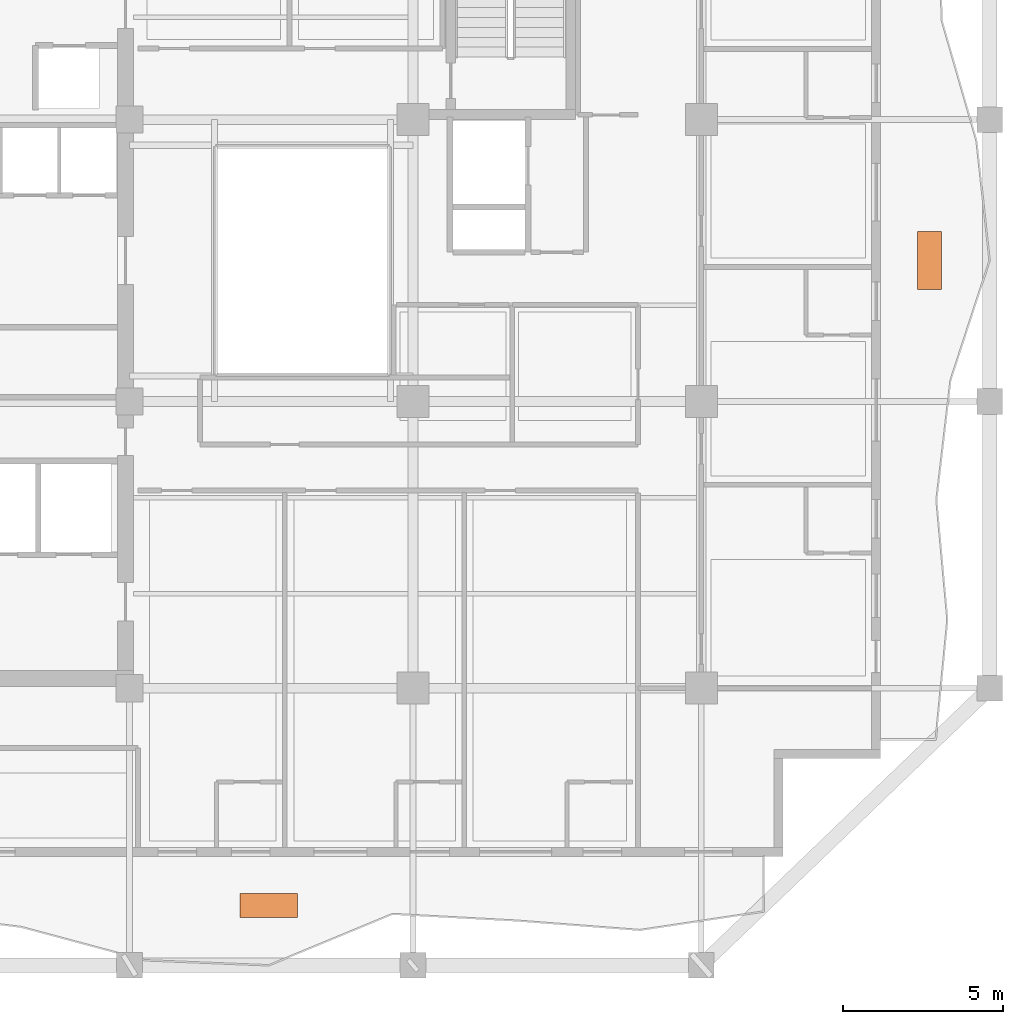
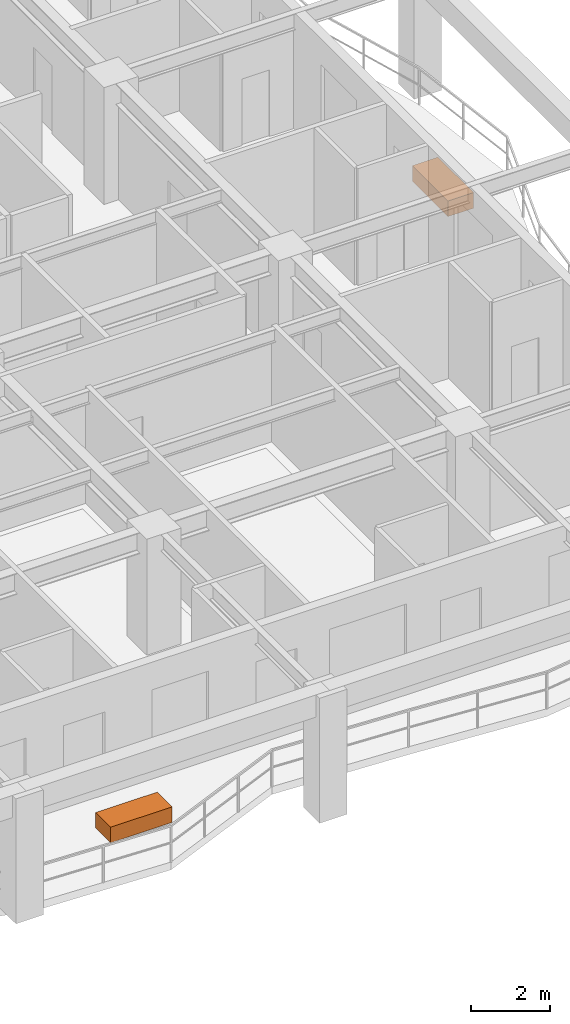
# One storey, part 11 of 11: 2 proxies.
"""IFC4 building model written with IfcOpenShell, lengths in metres."""

from ifc_helpers import new_model, si_unit, direction, frame, origin, origin_2d, place, context, subcontext, project, spatial, rectangle, extrude, material, type_object, element, save


model = new_model("IFC4")

# Units and contexts
model_context = context("Model", 3, precision=1e-05, world=origin(), true_north=direction((0.0, 1.0)))
body_context = subcontext(model_context, "Body", "Model", "MODEL_VIEW")
ifc_project = project(units=[si_unit("LENGTHUNIT", "METRE"), si_unit("AREAUNIT", "SQUARE_METRE"), si_unit("VOLUMEUNIT", "CUBIC_METRE"), si_unit("PLANEANGLEUNIT", "RADIAN"), si_unit("MASSUNIT", "GRAM", prefix="KILO")], contexts=[model_context])

# Site, building, storey
site_placement = place(None, origin())
site = spatial("IfcSite", under=ifc_project, at=site_placement, CompositionType="ELEMENT")
building_placement = place(site_placement, origin())
building = spatial("IfcBuilding", under=site, at=building_placement, Name="Kundavana Baori Tower", CompositionType="ELEMENT")
storey_placement = place(building_placement, frame((0.0, 0.0, 127.10009765625)))
storey = spatial("IfcBuildingStorey", under=building, at=storey_placement, Name="L30", CompositionType="ELEMENT", Elevation=127.10009765625)

# Proxies
ifc_material = material(Name="Red-Buff Dholpur Sandstone Cladding on Concrete C40/50", Category="masonry")
building_element_proxy_type = type_object("IfcBuildingElementProxyType", Name="PRX-PLANTER-1800", PredefinedType="USERDEFINED", material=ifc_material)
for number, where, z_axis, x_axis, name in (
    (1, (29.300048828125, 8.469970703125, 0.0), (0.0, 0.0, 1.0), (1.0, 0.0, 0.0), "L30 Dholpur Stone Structural Tree Planter S"),
    (2, (49.929931640625, 28.60009765625, 0.0), (0.0, 0.0, 1.0), (0.0, 1.0, 0.0), "L30 Dholpur Stone Structural Tree Planter E"),
):
    element("IfcBuildingElementProxy", number, at=place(storey_placement, frame(where, z_axis=z_axis, x_axis=x_axis)), inside=storey, type_object=building_element_proxy_type, Name=name, ObjectType="PLANTER", PredefinedType="USERDEFINED", context=body_context, shape_type="SweptSolid", body=[
        extrude(rectangle(XDim=1.800048828125, YDim=0.75, at=origin_2d()), origin(), (0.0, 0.0, 1.0), 0.47998046875),
    ])

save(model, "model.ifc")
